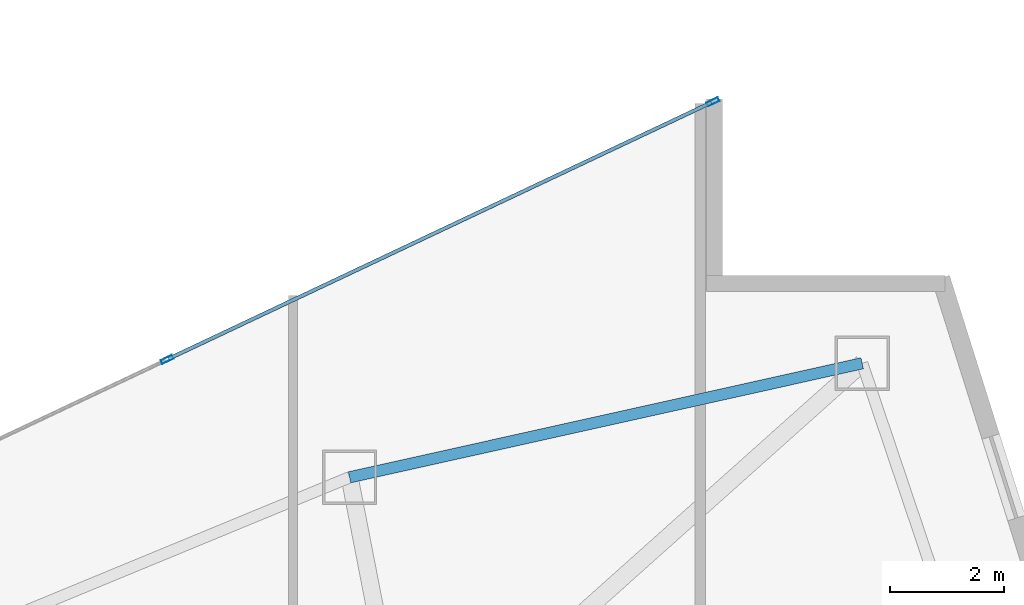
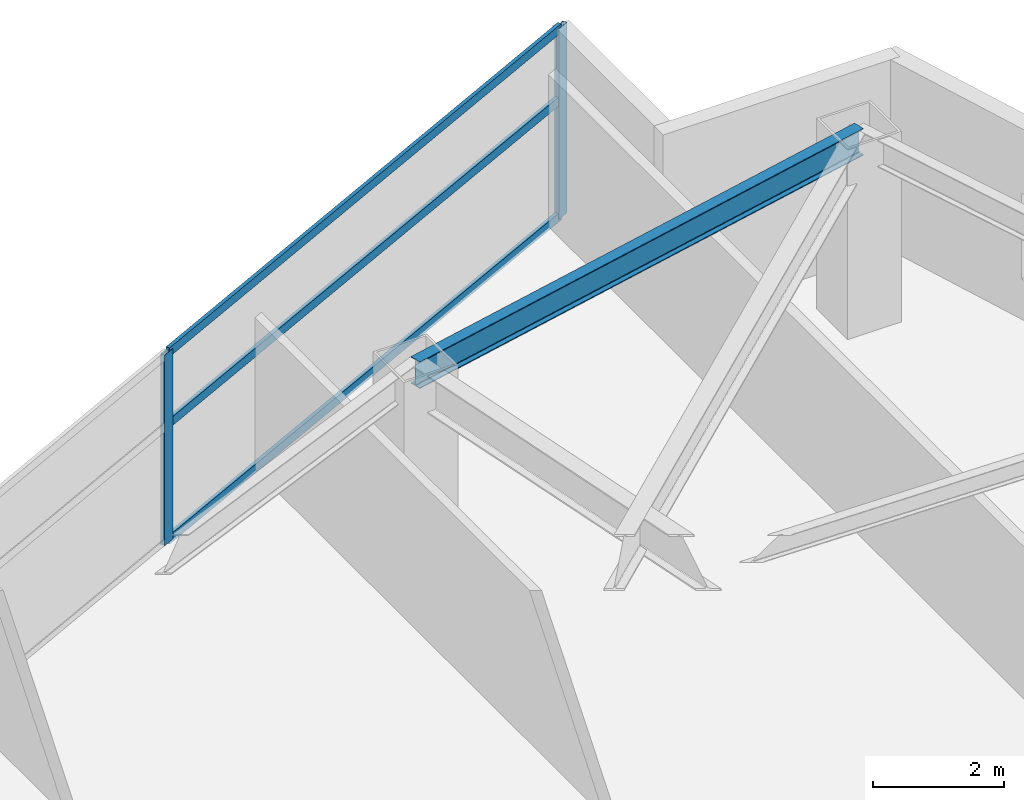
# One storey, part 20 of 29: 5 members, 1 beam, 1 element without a shape of its own.
"""IFC4 building model written with IfcOpenShell, lengths in metres."""

from ifc_helpers import new_model, si_unit, direction, frame, origin, origin_2d, place, context, subcontext, project, spatial, hollow_rectangle, i_section, extrude, material, layer, layer_set, material_profile, profile_set, type_object, element, aggregate, save


model = new_model("IFC4")

# Units and contexts
model_context = context("Model", 3, precision=1e-05, world=origin(), true_north=direction((0.0, 1.0)))
body_context = subcontext(model_context, "Body", "Model", "MODEL_VIEW")
ifc_project = project(units=[si_unit("LENGTHUNIT", "METRE"), si_unit("AREAUNIT", "SQUARE_METRE"), si_unit("VOLUMEUNIT", "CUBIC_METRE"), si_unit("PLANEANGLEUNIT", "RADIAN"), si_unit("MASSUNIT", "GRAM", prefix="KILO")], contexts=[model_context])

# Site, building, storey
site_placement = place(None, origin())
site = spatial("IfcSite", under=ifc_project, at=site_placement, CompositionType="ELEMENT")
building_placement = place(site_placement, origin())
building = spatial("IfcBuilding", under=site, at=building_placement, Name="Calvorn Quay Hotel", CompositionType="ELEMENT")
storey_placement = place(building_placement, frame((0.0, 0.0, 81.199951171875)))
storey = spatial("IfcBuildingStorey", under=building, at=storey_placement, Name="L19", CompositionType="ELEMENT", Elevation=81.199951171875)

# Beam
ifc_material_1 = material(Name="Steel Q355B", Category="steel")
ifc_material_profile_1 = material_profile(ifc_material_1, i_section(OverallWidth=0.199951171875, OverallDepth=0.5, WebThickness=0.010009765625, FlangeThickness=0.01611328125, FilletRadius=0.01611328125, at=origin_2d()), Name="HN500x200x10x16")
ifc_profile_set_1 = profile_set([ifc_material_profile_1], Name="Steel Q355B")
beam_type = type_object("IfcBeamType", Name="BM-SPANDREL-Z1", PredefinedType="SPANDREL", material=ifc_profile_set_1)
beam_placement = place(storey_placement, frame((52.990966796875, 33.39990234375, 3.2900390625), z_axis=(-0.976140886259, -0.217138136156, 0.0), x_axis=(0.217138136156, -0.976140886259, 0.0)))
element("IfcBeam", 1, at=beam_placement, inside=storey, type_object=beam_type, Name="Beam BSP-L19-E3", PredefinedType="SPANDREL", context=body_context, shape_type="SweptSolid", body=[
    extrude(i_section(OverallWidth=0.199951171875, OverallDepth=0.5, WebThickness=0.010009765625, FlangeThickness=0.01611328125, FilletRadius=0.01611328125, at=origin_2d()), origin(), (0.0, 0.0, 1.0), 9.210693359375),
])

# Curtain wall, members
ifc_material_2 = material(Name="Pale Anodised Aluminium and Low-E Glass", Category="aluminium")
ifc_layer = layer(ifc_material_2, 0.219970703125)
ifc_layer_set = layer_set([ifc_layer], Name="CW-SYS-Z1")
curtain_wall_type = type_object("IfcCurtainWallType", Name="CW-SYS-Z1", PredefinedType="NOTDEFINED", material=ifc_layer_set)
curtain_wall_placement = place(storey_placement, origin())
curtain_wall = element("IfcCurtainWall", 2, at=curtain_wall_placement, inside=storey, type_object=curtain_wall_type, Name="Inner Court Curtain Wall L19-NE1", PredefinedType="NOTDEFINED")
ifc_material_3 = material(Name="Pale Anodised Aluminium 6063-T6", Category="aluminium")
ifc_material_profile_2 = material_profile(ifc_material_3, hollow_rectangle(XDim=0.074951171875, YDim=0.219970703125, WallThickness=0.00439453125, at=origin_2d()), Name="ALU-M220x75x4.5")
ifc_profile_set_2 = profile_set([ifc_material_profile_2], Name="Pale Anodised Aluminium 6063-T6")
member_type_1 = type_object("IfcMemberType", Name="CW-SYS-Z1-MUL", PredefinedType="MULLION", material=ifc_profile_set_2)
member_1_placement = place(storey_placement, frame((50.372802734375, 37.9873046875, 0.0), z_axis=(0.0, 0.0, 1.0), x_axis=(0.427006305415, -0.904248646743, 0.0)))
member_1 = element("IfcMember", 3, at=member_1_placement, type_object=member_type_1, Name="CW-L19-NE1 mullion 1", PredefinedType="MULLION", context=body_context, shape_type="SweptSolid", body=[
    extrude(hollow_rectangle(XDim=0.074951171875, YDim=0.219970703125, WallThickness=0.00439453125, at=origin_2d()), origin(), (0.0, 0.0, 1.0), 3.56005859375),
])
member_2_placement = place(storey_placement, frame((40.800048828125, 33.466552734375, 0.0), z_axis=(0.0, 0.0, 1.0), x_axis=(0.427006305415, -0.904248646743, 0.0)))
member_2 = element("IfcMember", 4, at=member_2_placement, type_object=member_type_1, Name="CW-L19-NE1 mullion 2", PredefinedType="MULLION", context=body_context, shape_type="SweptSolid", body=[
    extrude(hollow_rectangle(XDim=0.074951171875, YDim=0.219970703125, WallThickness=0.00439453125, at=origin_2d()), origin(), (0.0, 0.0, 1.0), 3.56005859375),
])
ifc_material_4 = material(Name="Pale Anodised Aluminium 6063-T6", Category="aluminium")
ifc_material_profile_3 = material_profile(ifc_material_4, hollow_rectangle(XDim=0.06494140625, YDim=0.1650390625, WallThickness=0.00341796875, at=origin_2d()), Name="ALU-T165x65x3.5")
ifc_profile_set_3 = profile_set([ifc_material_profile_3], Name="Pale Anodised Aluminium 6063-T6")
member_type_2 = type_object("IfcMemberType", Name="CW-SYS-Z1-TRN", PredefinedType="USERDEFINED", material=ifc_profile_set_3)
member_3_placement = place(storey_placement, frame((50.345703125, 37.974365234375, 0.030029296875), z_axis=(-0.904248646746, -0.427006305408, 0.0), x_axis=(0.427006305408, -0.904248646746, 0.0)))
member_3 = element("IfcMember", 5, at=member_3_placement, type_object=member_type_2, Name="CW-L19-NE1 transom 1.1", ObjectType="TRANSOM", PredefinedType="USERDEFINED", context=body_context, shape_type="SweptSolid", body=[
    extrude(hollow_rectangle(XDim=0.06494140625, YDim=0.1650390625, WallThickness=0.00341796875, at=origin_2d()), origin(), (0.0, 0.0, 1.0), 10.5263671875),
])
member_4_placement = place(storey_placement, frame((50.345703125, 37.974365234375, 2.199951171875), z_axis=(-0.904248646746, -0.427006305408, 0.0), x_axis=(0.427006305408, -0.904248646746, 0.0)))
member_4 = element("IfcMember", 6, at=member_4_placement, type_object=member_type_2, Name="CW-L19-NE1 transom 1.2", ObjectType="TRANSOM", PredefinedType="USERDEFINED", context=body_context, shape_type="SweptSolid", body=[
    extrude(hollow_rectangle(XDim=0.06494140625, YDim=0.1650390625, WallThickness=0.00341796875, at=origin_2d()), origin(), (0.0, 0.0, 1.0), 10.5263671875),
])
member_5_placement = place(storey_placement, frame((50.345703125, 37.974365234375, 3.530029296875), z_axis=(-0.904248646746, -0.427006305408, 0.0), x_axis=(0.427006305408, -0.904248646746, 0.0)))
member_5 = element("IfcMember", 7, at=member_5_placement, type_object=member_type_2, Name="CW-L19-NE1 transom 1.3", ObjectType="TRANSOM", PredefinedType="USERDEFINED", context=body_context, shape_type="SweptSolid", body=[
    extrude(hollow_rectangle(XDim=0.06494140625, YDim=0.1650390625, WallThickness=0.00341796875, at=origin_2d()), origin(), (0.0, 0.0, 1.0), 10.5263671875),
])
aggregate(curtain_wall, [member_1, member_2, member_3, member_4, member_5])

save(model, "model.ifc")
